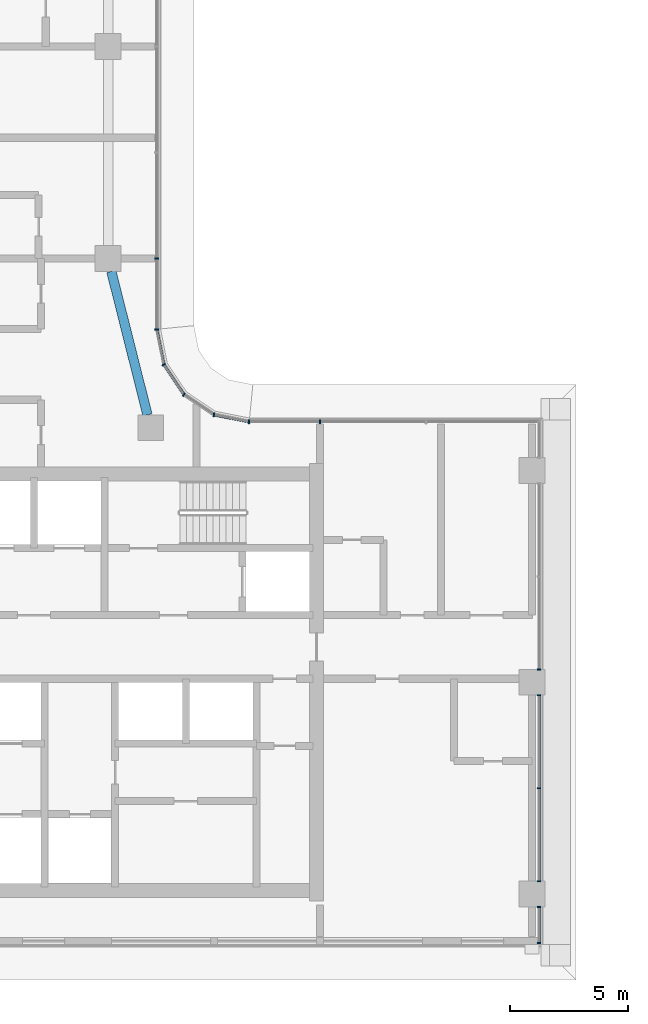
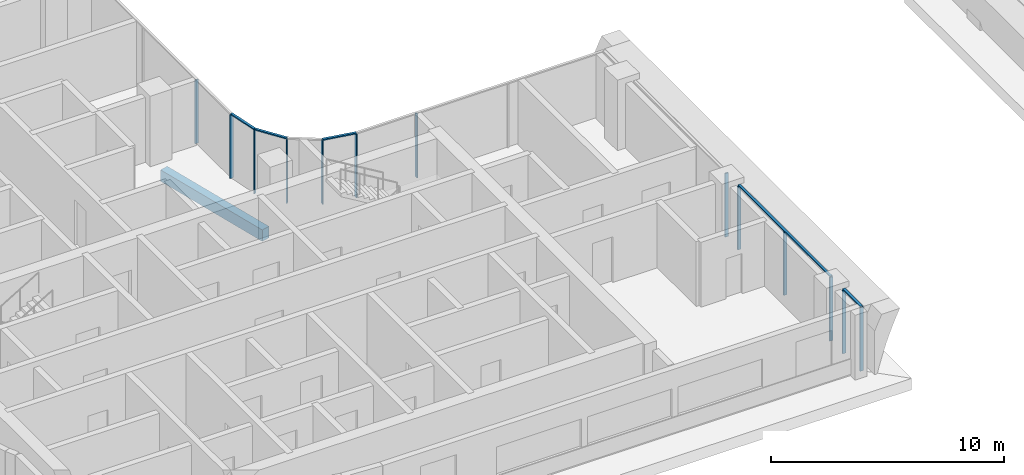
# One storey, part 2 of 26: 18 members, 1 beam, 6 elements without a shape of their own.
"""IFC4 building model written with IfcOpenShell, lengths in metres."""

import ifcopenshell
import ifcopenshell.guid

model = None  # the IFC model being written
_history = None  # IfcOwnerHistory: only IFC2X3 demands one
_inside = {}  # id of a spatial element -> (the spatial element, [elements in it])
_under = {}  # id of a project, library or spatial element -> (it, [spatial elements below it])
_declared = {}  # id of a project -> (the project, [libraries it declares])
_typed = {}  # id of a type object -> (the type object, [elements of that type])
_made_of = {}  # id of a material, layer set ... -> (it, [elements and type objects made of it])


def new_model(schema):
    """Start an empty IFC model of exactly this schema.

    Asked for "IFC4X3", IfcOpenShell would pick the latest addendum, in which some entities
    have other attributes; the version numbers below select the first issue.
    IFC2X3 requires an IfcOwnerHistory on every rooted entity: one is made here for all.
    """
    global model, _history
    if schema == "IFC4X3":
        model = ifcopenshell.file(schema_version=(4, 3, 0, 0))
    else:
        model = ifcopenshell.file(schema=schema)
    _inside.clear()
    _under.clear()
    _declared.clear()
    _typed.clear()
    _made_of.clear()
    _history = None
    if model.schema == "IFC2X3":
        org = make("IfcOrganization", Name="unknown")
        user = make(
            "IfcPersonAndOrganization",
            ThePerson=make("IfcPerson", FamilyName="unknown"),
            TheOrganization=org,
        )
        app = make(
            "IfcApplication",
            ApplicationDeveloper=org,
            Version="unknown",
            ApplicationFullName="unknown",
            ApplicationIdentifier="unknown",
        )
        _history = make(
            "IfcOwnerHistory",
            OwningUser=user,
            OwningApplication=app,
            ChangeAction="ADDED",
            CreationDate=0,
        )
    return model


def make(cls, **values):
    """One entity of the class cls with the attributes given. An attribute that is None is left unset."""
    return model.create_entity(
        cls, **{name: value for name, value in values.items() if value is not None}
    )


def rooted(cls, **values):
    """An entity with a GlobalId (a new one), such as an element, a storey or a relation."""
    return make(cls, GlobalId=ifcopenshell.guid.new(), OwnerHistory=_history, **values)


def si_unit(unit_type, name, prefix=None):
    """IfcSIUnit, for example si_unit("LENGTHUNIT", "METRE", prefix="MILLI")."""
    return make("IfcSIUnit", UnitType=unit_type, Prefix=prefix, Name=name)


def assignment(units):
    """IfcUnitAssignment: the units of a project."""
    return None if units is None else make("IfcUnitAssignment", Units=units)


def point(xyz):
    """IfcCartesianPoint."""
    return None if xyz is None else make("IfcCartesianPoint", Coordinates=xyz)


def direction(xyz):
    """IfcDirection."""
    return None if xyz is None else make("IfcDirection", DirectionRatios=xyz)


def frame(location, z_axis=None, x_axis=None):
    """IfcAxis2Placement3D, a coordinate frame: its origin and axes. An axis left out is left unset."""
    return make(
        "IfcAxis2Placement3D",
        Location=point(location),
        Axis=direction(z_axis),
        RefDirection=direction(x_axis),
    )


def frame_2d(location, x_axis=None):
    """IfcAxis2Placement2D, a coordinate frame in the plane: its origin and x axis."""
    return make(
        "IfcAxis2Placement2D", Location=point(location), RefDirection=direction(x_axis)
    )


def origin():
    """The frame at (0, 0, 0) with its axes left unset."""
    return frame((0.0, 0.0, 0.0))


def origin_2d():
    """The frame at (0, 0) in the plane with its x axis left unset."""
    return frame_2d((0.0, 0.0))


def place(relative_to, where):
    """IfcLocalPlacement: puts the frame where relative to a parent placement (None: the world)."""
    return make(
        "IfcLocalPlacement", PlacementRelTo=relative_to, RelativePlacement=where
    )


def context(
    kind, dimensions, precision=None, world=None, true_north=None, identifier=None
):
    """IfcGeometricRepresentationContext, for example the 3D "Model" context."""
    return make(
        "IfcGeometricRepresentationContext",
        ContextIdentifier=identifier,
        ContextType=kind,
        CoordinateSpaceDimension=dimensions,
        Precision=precision,
        WorldCoordinateSystem=world,
        TrueNorth=true_north,
    )


def subcontext(parent, identifier, kind, view, scale=None):
    """IfcGeometricRepresentationSubContext, for example "Body" below "Model"."""
    return make(
        "IfcGeometricRepresentationSubContext",
        ContextIdentifier=identifier,
        ContextType=kind,
        ParentContext=parent,
        TargetScale=scale,
        TargetView=view,
    )


def project(units=None, contexts=None):
    """IfcProject with its units and contexts."""
    return rooted(
        "IfcProject",
        Name="project",
        RepresentationContexts=contexts,
        UnitsInContext=assignment(units),
    )


def spatial(cls, under=None, at=None, **own):
    """A site, building, storey or space (cls), placed at a placement, below another one or the project."""
    s = rooted(cls, ObjectPlacement=at, **own)
    if under is not None:
        _under.setdefault(under.id(), (under, []))[1].append(s)
    return s


def profile(cls, at=None, kind="AREA", **sizes):
    """A parametric profile (cls). Its sizes go by their IFC names, for example OverallWidth=200.0."""
    return make(cls, ProfileType=kind, Position=at, **sizes)


def rectangle(**sizes):
    """IfcRectangleProfileDef."""
    return profile("IfcRectangleProfileDef", **sizes)


def extrude(swept, where, along, depth):
    """IfcExtrudedAreaSolid: the profile swept, set in the frame where, extruded along a direction by depth."""
    return make(
        "IfcExtrudedAreaSolid",
        SweptArea=swept,
        Position=where,
        ExtrudedDirection=direction(along),
        Depth=depth,
    )


def shape(context_of_items, identifier, shape_type, items):
    """IfcShapeRepresentation: the items that make up one representation, for example the "Body"."""
    return make(
        "IfcShapeRepresentation",
        ContextOfItems=context_of_items,
        RepresentationIdentifier=identifier,
        RepresentationType=shape_type,
        Items=items,
    )


def material(Name=None, Category=None):
    """IfcMaterial."""
    return make("IfcMaterial", Name=Name, Category=Category)


def material_profile(
    of_material, cross_section, Name=None, Category=None, Priority=None
):
    """IfcMaterialProfile: a cross section and its material."""
    return make(
        "IfcMaterialProfile",
        Name=Name,
        Material=of_material,
        Profile=cross_section,
        Priority=Priority,
        Category=Category,
    )


def profile_set(profiles, Name=None, composite=None):
    """IfcMaterialProfileSet."""
    return make(
        "IfcMaterialProfileSet",
        Name=Name,
        MaterialProfiles=profiles,
        CompositeProfile=composite,
    )


def made_of(thing, what):
    """Note that an element or type object is made of a material, layer set ...; save() writes the relation."""
    if what is not None:
        _made_of.setdefault(what.id(), (what, []))[1].append(thing)
    return thing


def type_object(cls, material=None, **own):
    """A type object (cls), such as IfcWallType, which elements share."""
    return made_of(rooted(cls, **own), material)


def element(
    cls,
    number,
    at=None,
    inside=None,
    cuts=None,
    type_object=None,
    material=None,
    context=None,
    identifier="Body",
    shape_type=None,
    held_by="IfcProductDefinitionShape",
    body=None,
    shapes=None,
    **own,
):
    """One element of the class cls, such as IfcWall. Its Tag is "e" and its number.

    at: its placement. inside: the storey or other place that contains it. cuts: it is an
    opening in that element (IfcRelVoidsElement). A single representation is given by context,
    identifier, shape_type and body (its items); several are given by shapes. held_by: the class
    of the entity that holds the representations. save() writes the other relations.
    """
    e = rooted(cls, Tag="e%d" % number, ObjectPlacement=at, **own)
    if body is not None:
        shapes = [shape(context, identifier, shape_type, body)]
    if shapes is not None:
        e.Representation = make(held_by, Representations=shapes)
    if inside is not None:
        _inside.setdefault(inside.id(), (inside, []))[1].append(e)
    if cuts is not None:
        rooted(
            "IfcRelVoidsElement", RelatingBuildingElement=cuts, RelatedOpeningElement=e
        )
    if type_object is not None:
        _typed.setdefault(type_object.id(), (type_object, []))[1].append(e)
    return made_of(e, material)


def aggregate(whole, parts):
    """IfcRelAggregates: a whole, such as a stair, and the parts it consists of."""
    return rooted("IfcRelAggregates", RelatingObject=whole, RelatedObjects=parts)


def save(model, path):
    """Write the relations noted so far, then the file.

    IfcRelAggregates (storeys below a building ...), IfcRelContainedInSpatialStructure (elements
    in a storey), IfcRelDefinesByType, IfcRelAssociatesMaterial and IfcRelDeclares: one each for
    every whole, place, type object, material and project.
    """
    for whole, parts in _under.values():
        aggregate(whole, parts)
    for where, things in _inside.values():
        rooted(
            "IfcRelContainedInSpatialStructure",
            RelatedElements=things,
            RelatingStructure=where,
        )
    for kind, things in _typed.values():
        rooted("IfcRelDefinesByType", RelatedObjects=things, RelatingType=kind)
    for what, things in _made_of.values():
        rooted("IfcRelAssociatesMaterial", RelatedObjects=things, RelatingMaterial=what)
    for by, libraries in _declared.values():
        rooted("IfcRelDeclares", RelatingContext=by, RelatedDefinitions=libraries)
    model.write(path)


model = new_model("IFC4")

# Units and contexts
model_context = context("Model", 3, precision=1e-05, world=origin(), true_north=direction((0.0, 1.0)))
body_context = subcontext(model_context, "Body", "Model", "MODEL_VIEW")
ifc_project = project(units=[si_unit("LENGTHUNIT", "METRE"), si_unit("AREAUNIT", "SQUARE_METRE"), si_unit("VOLUMEUNIT", "CUBIC_METRE"), si_unit("PLANEANGLEUNIT", "RADIAN"), si_unit("MASSUNIT", "GRAM", prefix="KILO")], contexts=[model_context])

# Site, building, storey
site_placement = place(None, origin())
site = spatial("IfcSite", under=ifc_project, at=site_placement, CompositionType="ELEMENT")
building_placement = place(site_placement, origin())
building = spatial("IfcBuilding", under=site, at=building_placement, Name="Ogive Portal Towers", CompositionType="ELEMENT")
storey_placement = place(building_placement, frame((0.0, 0.0, 171.800048828125)))
storey = spatial("IfcBuildingStorey", under=building, at=storey_placement, Name="L42", CompositionType="ELEMENT", Elevation=171.800048828125)

# Curtain wall, members
ifc_material_1 = material(Name="Glass, clear low-iron insulated glazing", Category="glass")
curtain_wall_type = type_object("IfcCurtainWallType", Name="CW FRONT RIBBON 4500", PredefinedType="NOTDEFINED", material=ifc_material_1)
curtain_wall_1_placement = place(storey_placement, origin())
curtain_wall_1 = element("IfcCurtainWall", 1, at=curtain_wall_1_placement, inside=storey, type_object=curtain_wall_type, Name="A:L42:f09:cw0~0", PredefinedType="NOTDEFINED")
ifc_material_2 = material(Name="Aluminium 6063 anodised", Category="aluminium")
ifc_material_profile_1 = material_profile(ifc_material_2, rectangle(XDim=0.159912109375, YDim=0.06005859375, at=origin_2d()), Name="AL 60x160")
ifc_profile_set_1 = profile_set([ifc_material_profile_1], Name="Aluminium 6063 anodised")
member_type_1 = type_object("IfcMemberType", Name="CW MULLION 60x160", PredefinedType="MULLION", material=ifc_profile_set_1)
member_1_placement = place(storey_placement, frame((67.800048828125, 19.43505859375, 0.0), z_axis=(0.0, 0.0, 1.0), x_axis=(-1.0, 0.0, 0.0)))
member_1 = element("IfcMember", 2, at=member_1_placement, type_object=member_type_1, Name="mullion", PredefinedType="MULLION", context=body_context, shape_type="SweptSolid", body=[
    extrude(rectangle(XDim=0.159912109375, YDim=0.06005859375, at=origin_2d()), origin(), (0.0, 0.0, 1.0), 3.33984375),
])
member_2_placement = place(storey_placement, frame((67.800048828125, 20.949951171875, 0.0), z_axis=(0.0, 0.0, 1.0), x_axis=(-1.0, 0.0, 0.0)))
member_2 = element("IfcMember", 3, at=member_2_placement, type_object=member_type_1, Name="mullion", PredefinedType="MULLION", context=body_context, shape_type="SweptSolid", body=[
    extrude(rectangle(XDim=0.159912109375, YDim=0.06005859375, at=origin_2d()), origin(), (0.0, 0.0, 1.0), 3.33984375),
])

curtain_wall_2_placement = place(storey_placement, origin())
curtain_wall_2 = element("IfcCurtainWall", 4, at=curtain_wall_2_placement, inside=storey, type_object=curtain_wall_type, Name="A:L42:f09:cw0~1", PredefinedType="NOTDEFINED")
member_3_placement = place(storey_placement, frame((67.800048828125, 22.050048828125, 0.0), z_axis=(0.0, 0.0, 1.0), x_axis=(-1.0, 0.0, 0.0)))
member_3 = element("IfcMember", 5, at=member_3_placement, type_object=member_type_1, Name="mullion", PredefinedType="MULLION", context=body_context, shape_type="SweptSolid", body=[
    extrude(rectangle(XDim=0.159912109375, YDim=0.06005859375, at=origin_2d()), origin(), (0.0, 0.0, 1.0), 3.33984375),
])
member_4_placement = place(storey_placement, frame((67.800048828125, 26.0, 0.0), z_axis=(0.0, 0.0, 1.0), x_axis=(-1.0, 0.0, 0.0)))
member_4 = element("IfcMember", 6, at=member_4_placement, type_object=member_type_1, Name="mullion", PredefinedType="MULLION", context=body_context, shape_type="SweptSolid", body=[
    extrude(rectangle(XDim=0.159912109375, YDim=0.06005859375, at=origin_2d()), origin(), (0.0, 0.0, 1.0), 3.33984375),
])
member_5_placement = place(storey_placement, frame((67.800048828125, 29.949951171875, 0.0), z_axis=(0.0, 0.0, 1.0), x_axis=(-1.0, 0.0, 0.0)))
member_5 = element("IfcMember", 7, at=member_5_placement, type_object=member_type_1, Name="mullion", PredefinedType="MULLION", context=body_context, shape_type="SweptSolid", body=[
    extrude(rectangle(XDim=0.159912109375, YDim=0.06005859375, at=origin_2d()), origin(), (0.0, 0.0, 1.0), 3.33984375),
])

# Curtain wall, member
curtain_wall_3_placement = place(storey_placement, origin())
curtain_wall_3 = element("IfcCurtainWall", 8, at=curtain_wall_3_placement, inside=storey, type_object=curtain_wall_type, Name="A:L42:f09:cw0~2", PredefinedType="NOTDEFINED")
member_6_placement = place(storey_placement, frame((67.800048828125, 31.050048828125, 0.0), z_axis=(0.0, 0.0, 1.0), x_axis=(-1.0, 0.0, 0.0)))
member_6 = element("IfcMember", 9, at=member_6_placement, type_object=member_type_1, Name="mullion", PredefinedType="MULLION", context=body_context, shape_type="SweptSolid", body=[
    extrude(rectangle(XDim=0.159912109375, YDim=0.06005859375, at=origin_2d()), origin(), (0.0, 0.0, 1.0), 3.33984375),
])
aggregate(curtain_wall_3, [member_6])

# Curtain wall, members
curtain_wall_4_placement = place(storey_placement, origin())
curtain_wall_4 = element("IfcCurtainWall", 10, at=curtain_wall_4_placement, inside=storey, type_object=curtain_wall_type, Name="A:L42:f10:cw0", PredefinedType="NOTDEFINED")
member_7_placement = place(storey_placement, frame((58.5, 41.56494140625, 0.0), z_axis=(0.0, 0.0, 1.0), x_axis=(0.0, -1.0, 0.0)))
member_7 = element("IfcMember", 11, at=member_7_placement, type_object=member_type_1, Name="mullion", PredefinedType="MULLION", context=body_context, shape_type="SweptSolid", body=[
    extrude(rectangle(XDim=0.159912109375, YDim=0.06005859375, at=origin_2d()), origin(), (0.0, 0.0, 1.0), 3.33984375),
])
member_8_placement = place(storey_placement, frame((55.4921875, 41.56494140625, 0.0), z_axis=(0.0, 0.0, 1.0), x_axis=(0.0, -1.0, 0.0)))
member_8 = element("IfcMember", 12, at=member_8_placement, type_object=member_type_1, Name="mullion", PredefinedType="MULLION", context=body_context, shape_type="SweptSolid", body=[
    extrude(rectangle(XDim=0.159912109375, YDim=0.06005859375, at=origin_2d()), origin(), (0.0, 0.0, 1.0), 3.33984375),
])
aggregate(curtain_wall_4, [member_7, member_8])

curtain_wall_5_placement = place(storey_placement, origin())
curtain_wall_5 = element("IfcCurtainWall", 13, at=curtain_wall_5_placement, inside=storey, type_object=curtain_wall_type, Name="A:L42:f15:cw0", PredefinedType="NOTDEFINED")
member_9_placement = place(storey_placement, frame((51.56494140625, 45.4921875, 0.0), z_axis=(0.0, 0.0, 1.0), x_axis=(-1.0, 0.0, 0.0)))
member_9 = element("IfcMember", 14, at=member_9_placement, type_object=member_type_1, Name="mullion", PredefinedType="MULLION", context=body_context, shape_type="SweptSolid", body=[
    extrude(rectangle(XDim=0.159912109375, YDim=0.06005859375, at=origin_2d()), origin(), (0.0, 0.0, 1.0), 3.33984375),
])
member_10_placement = place(storey_placement, frame((51.56494140625, 48.5, 0.0), z_axis=(0.0, 0.0, 1.0), x_axis=(-1.0, 0.0, 0.0)))
member_10 = element("IfcMember", 15, at=member_10_placement, type_object=member_type_1, Name="mullion", PredefinedType="MULLION", context=body_context, shape_type="SweptSolid", body=[
    extrude(rectangle(XDim=0.159912109375, YDim=0.06005859375, at=origin_2d()), origin(), (0.0, 0.0, 1.0), 3.33984375),
])
aggregate(curtain_wall_5, [member_9, member_10])

curtain_wall_6_placement = place(storey_placement, origin())
curtain_wall_6 = element("IfcCurtainWall", 16, at=curtain_wall_6_placement, inside=storey, type_object=curtain_wall_type, Name="A:L42:f11:cwa", PredefinedType="NOTDEFINED")
member_11_placement = place(storey_placement, frame((53.99365234375, 41.863037109375, 0.0), z_axis=(0.0, 0.0, 1.0), x_axis=(-0.195090322016, -0.980785280403, 0.0)))
member_11 = element("IfcMember", 17, at=member_11_placement, type_object=member_type_1, Name="mullion", PredefinedType="MULLION", context=body_context, shape_type="SweptSolid", body=[
    extrude(rectangle(XDim=0.159912109375, YDim=0.06005859375, at=origin_2d()), origin(), (0.0, 0.0, 1.0), 3.33984375),
])
member_12_placement = place(storey_placement, frame((52.71630859375, 42.71630859375, 0.0), z_axis=(0.0, 0.0, 1.0), x_axis=(-0.55557023302, -0.831469612303, 0.0)))
member_12 = element("IfcMember", 18, at=member_12_placement, type_object=member_type_1, Name="mullion", PredefinedType="MULLION", context=body_context, shape_type="SweptSolid", body=[
    extrude(rectangle(XDim=0.159912109375, YDim=0.06005859375, at=origin_2d()), origin(), (0.0, 0.0, 1.0), 3.33984375),
])
member_13_placement = place(storey_placement, frame((51.863037109375, 43.99365234375, 0.0), z_axis=(0.0, 0.0, 1.0), x_axis=(-0.831469612303, -0.55557023302, 0.0)))
member_13 = element("IfcMember", 19, at=member_13_placement, type_object=member_type_1, Name="mullion", PredefinedType="MULLION", context=body_context, shape_type="SweptSolid", body=[
    extrude(rectangle(XDim=0.159912109375, YDim=0.06005859375, at=origin_2d()), origin(), (0.0, 0.0, 1.0), 3.33984375),
])

# Member
ifc_material_profile_2 = material_profile(ifc_material_2, rectangle(XDim=0.1201171875, YDim=0.06005859375, at=origin_2d()), Name="AL 120x60")
ifc_profile_set_2 = profile_set([ifc_material_profile_2], Name="Aluminium 6063 anodised")
member_type_2 = type_object("IfcMemberType", Name="CW TRANSOM 60x120", PredefinedType="USERDEFINED", material=ifc_profile_set_2)
member_14_placement = place(storey_placement, frame((67.800048828125, 19.43505859375, 3.369873046875), z_axis=(0.0, 1.0, 0.0), x_axis=(-1.0, 0.0, 0.0)))
member_14 = element("IfcMember", 20, at=member_14_placement, type_object=member_type_2, Name="transom", ObjectType="TRANSOM", PredefinedType="USERDEFINED", context=body_context, shape_type="SweptSolid", body=[
    extrude(rectangle(XDim=0.1201171875, YDim=0.06005859375, at=origin_2d()), origin(), (0.0, 0.0, 1.0), 1.514892578125),
])

aggregate(curtain_wall_1, [member_14, member_1, member_2])

member_15_placement = place(storey_placement, frame((67.800048828125, 22.050048828125, 3.369873046875), z_axis=(0.0, 1.0, 0.0), x_axis=(-1.0, 0.0, 0.0)))
member_15 = element("IfcMember", 21, at=member_15_placement, type_object=member_type_2, Name="transom", ObjectType="TRANSOM", PredefinedType="USERDEFINED", context=body_context, shape_type="SweptSolid", body=[
    extrude(rectangle(XDim=0.1201171875, YDim=0.06005859375, at=origin_2d()), origin(), (0.0, 0.0, 1.0), 7.89990234375),
])

aggregate(curtain_wall_2, [member_15, member_3, member_4, member_5])

member_16_placement = place(storey_placement, frame((55.4921875, 41.56494140625, 3.369873046875), z_axis=(-0.980782960085, 0.195101986683, 0.0), x_axis=(-0.195101986683, -0.980782960085, 0.0)))
member_16 = element("IfcMember", 22, at=member_16_placement, type_object=member_type_2, Name="transom", ObjectType="TRANSOM", PredefinedType="USERDEFINED", context=body_context, shape_type="SweptSolid", body=[
    extrude(rectangle(XDim=0.1201171875, YDim=0.06005859375, at=origin_2d()), origin(), (0.0, 0.0, 1.0), 1.52783203125),
])

member_17_placement = place(storey_placement, frame((52.71630859375, 42.71630859375, 3.369873046875), z_axis=(-0.555470171417, 0.831536462619, 0.0), x_axis=(-0.831536462619, -0.555470171417, 0.0)))
member_17 = element("IfcMember", 23, at=member_17_placement, type_object=member_type_2, Name="transom", ObjectType="TRANSOM", PredefinedType="USERDEFINED", context=body_context, shape_type="SweptSolid", body=[
    extrude(rectangle(XDim=0.1201171875, YDim=0.06005859375, at=origin_2d()), origin(), (0.0, 0.0, 1.0), 1.5361328125),
])

member_18_placement = place(storey_placement, frame((51.863037109375, 43.99365234375, 3.369873046875), z_axis=(-0.195101986683, 0.980782960085, 0.0), x_axis=(-0.980782960085, -0.195101986683, 0.0)))
member_18 = element("IfcMember", 24, at=member_18_placement, type_object=member_type_2, Name="transom", ObjectType="TRANSOM", PredefinedType="USERDEFINED", context=body_context, shape_type="SweptSolid", body=[
    extrude(rectangle(XDim=0.1201171875, YDim=0.06005859375, at=origin_2d()), origin(), (0.0, 0.0, 1.0), 1.52783203125),
])

aggregate(curtain_wall_6, [member_16, member_17, member_18, member_11, member_12, member_13])

# Beam
ifc_material_3 = material(Name="Concrete C40/50", Category="concrete")
ifc_material_profile_3 = material_profile(ifc_material_3, rectangle(XDim=0.39990234375, YDim=0.60009765625, at=origin_2d()), Name="RC 400x600")
ifc_profile_set_3 = profile_set([ifc_material_profile_3], Name="Concrete C40/50")
beam_type = type_object("IfcBeamType", Name="SPANDREL BEAM RC 400x600", PredefinedType="BEAM", material=ifc_profile_set_3)
beam_placement = place(storey_placement, frame((49.638427734375, 47.949951171875, -0.60009765625), z_axis=(0.244108681121, -0.969747880535, 0.0), x_axis=(0.969747880535, 0.244108681121, 0.0)))
element("IfcBeam", 25, at=beam_placement, inside=storey, type_object=beam_type, Name="Spandrel beam L42", PredefinedType="BEAM", context=body_context, shape_type="SweptSolid", body=[
    extrude(rectangle(XDim=0.39990234375, YDim=0.60009765625, at=origin_2d()), origin(), (0.0, 0.0, 1.0), 6.27978515625),
])

save(model, "model.ifc")
